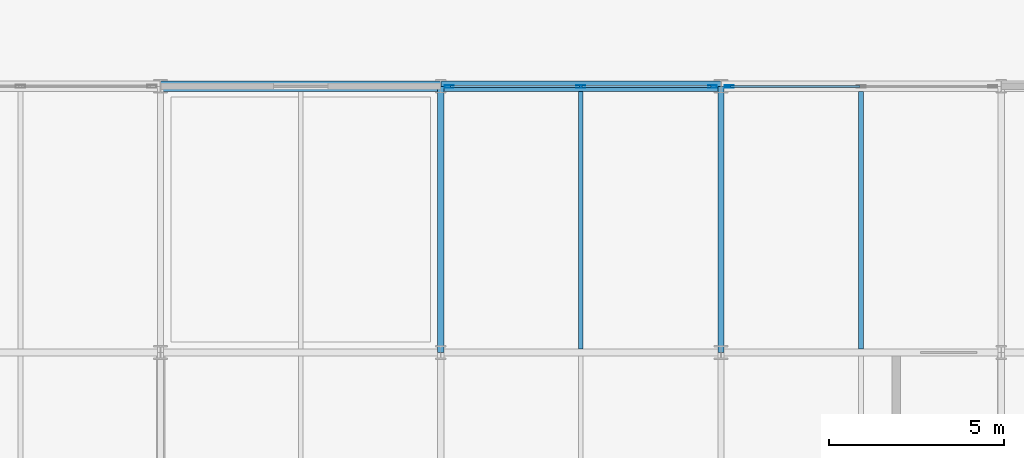
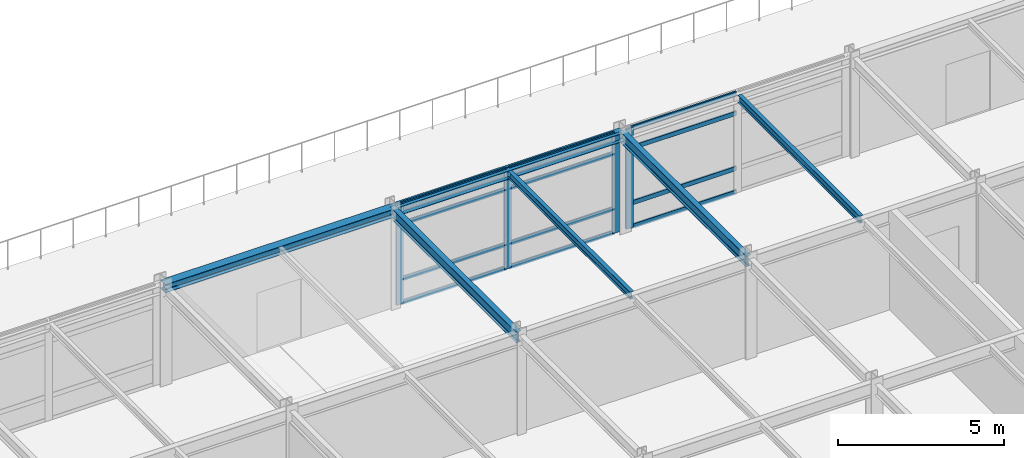
# One storey, part 9 of 17: 16 members, 6 beams, 2 elements without a shape of their own.
"""IFC4 building model written with IfcOpenShell, lengths in metres."""

from ifc_helpers import new_model, si_unit, direction, frame, origin, origin_2d, place, context, subcontext, project, spatial, hollow_rectangle, i_section, extrude, material, layer, layer_set, material_profile, profile_set, type_object, element, aggregate, save


model = new_model("IFC4")

# Units and contexts
model_context = context("Model", 3, precision=1e-05, world=origin(), true_north=direction((0.0, 1.0)))
body_context = subcontext(model_context, "Body", "Model", "MODEL_VIEW")
ifc_project = project(units=[si_unit("LENGTHUNIT", "METRE"), si_unit("AREAUNIT", "SQUARE_METRE"), si_unit("VOLUMEUNIT", "CUBIC_METRE"), si_unit("PLANEANGLEUNIT", "RADIAN"), si_unit("MASSUNIT", "GRAM", prefix="KILO")], contexts=[model_context])

# Site, building, storey
site_placement = place(None, origin())
site = spatial("IfcSite", under=ifc_project, at=site_placement, CompositionType="ELEMENT")
building_placement = place(site_placement, origin())
building = spatial("IfcBuilding", under=site, at=building_placement, Name="Shalkamar Park Central Library", CompositionType="ELEMENT")
storey_placement = place(building_placement, frame((0.0, 0.0, 36.0)))
storey = spatial("IfcBuildingStorey", under=building, at=storey_placement, Name="L09", CompositionType="ELEMENT", Elevation=36.0)

# Beams
ifc_material_1 = material(Name="Steel S355", Category="steel")
ifc_material_profile_1 = material_profile(ifc_material_1, i_section(OverallWidth=0.135009765625, OverallDepth=0.27001953125, WebThickness=0.006591796875, FlangeThickness=0.01025390625, FilletRadius=0.014892578125, at=origin_2d()), Name="IPE 270")
ifc_profile_set_1 = profile_set([ifc_material_profile_1], Name="Steel S355")
beam_type_1 = type_object("IfcBeamType", Name="Composite Floor Joist IPE270", PredefinedType="JOIST", material=ifc_profile_set_1)
for number, where, z_axis, x_axis, name in (
    (1, (193.0, 278.097900390625, 3.544921875), (0.0, 1.0, 0.0), (-1.0, 0.0, 0.0), "Composite Joist 10/F-1 (L09)"),
    (2, (201.0, 278.097900390625, 3.544921875), (0.0, 1.0, 0.0), (-1.0, 0.0, 0.0), "Composite Joist 11/F-1 (L09)"),
):
    element("IfcBeam", number, at=place(storey_placement, frame(where, z_axis=z_axis, x_axis=x_axis)), inside=storey, type_object=beam_type_1, Name=name, PredefinedType="JOIST", context=body_context, shape_type="SweptSolid", body=[
        extrude(i_section(OverallWidth=0.135009765625, OverallDepth=0.27001953125, WebThickness=0.006591796875, FlangeThickness=0.01025390625, FilletRadius=0.014892578125, at=origin_2d()), origin(), (0.0, 0.0, 1.0), 7.35400390625),
    ])

# Curtain wall, members
ifc_material_2 = material(Name="Thermally broken aluminium and triple low-e curtain wall", Category="aluminium")
ifc_layer_1 = layer(ifc_material_2, 0.25)
ifc_layer_set_1 = layer_set([ifc_layer_1], Name="UnitisedCurtainWall_79")
curtain_wall_type_1 = type_object("IfcCurtainWallType", Name="Unitised Curtain Wall 79", PredefinedType="USERDEFINED", material=ifc_layer_set_1)
curtain_wall_1_placement = place(storey_placement, origin())
curtain_wall_1 = element("IfcCurtainWall", 3, at=curtain_wall_1_placement, inside=storey, type_object=curtain_wall_type_1, Name="Unitised Curtain Wall CW-L09-114", ObjectType="UNITISED CURTAIN WALL", PredefinedType="USERDEFINED")
ifc_material_3 = material(Name="Aluminium 6060-T66", Category="aluminium")
ifc_material_profile_2 = material_profile(ifc_material_3, hollow_rectangle(XDim=0.074951171875, YDim=0.25, WallThickness=0.00390625, InnerFilletRadius=0.00390625, OuterFilletRadius=0.006103515625, at=origin_2d()), Name="ALU 75x250x4")
ifc_profile_set_2 = profile_set([ifc_material_profile_2], Name="Aluminium 6060-T66")
member_type_1 = type_object("IfcMemberType", Name="Curtain Wall Mullion ALU75x250", PredefinedType="MULLION", material=ifc_profile_set_2)
member_1_placement = place(storey_placement, frame((189.239013671875, 285.60009765625, 0.0), z_axis=(0.0, 0.0, 1.0), x_axis=(0.0, 1.0, 0.0)))
member_1 = element("IfcMember", 4, at=member_1_placement, type_object=member_type_1, Name="CW-79 mullion 1", PredefinedType="MULLION", context=body_context, shape_type="SweptSolid", body=[
    extrude(hollow_rectangle(XDim=0.074951171875, YDim=0.25, WallThickness=0.00390625, InnerFilletRadius=0.00390625, OuterFilletRadius=0.006103515625, at=origin_2d()), origin(), (0.0, 0.0, 1.0), 3.679931640625),
])
member_2_placement = place(storey_placement, frame((192.999267578125, 285.60009765625, 0.0), z_axis=(0.0, 0.0, 1.0), x_axis=(0.0, 1.0, 0.0)))
member_2 = element("IfcMember", 5, at=member_2_placement, type_object=member_type_1, Name="CW-79 mullion 2", PredefinedType="MULLION", context=body_context, shape_type="SweptSolid", body=[
    extrude(hollow_rectangle(XDim=0.074951171875, YDim=0.25, WallThickness=0.00390625, InnerFilletRadius=0.00390625, OuterFilletRadius=0.006103515625, at=origin_2d()), origin(), (0.0, 0.0, 1.0), 3.679931640625),
])
member_3_placement = place(storey_placement, frame((196.759521484375, 285.60009765625, 0.0), z_axis=(0.0, 0.0, 1.0), x_axis=(0.0, 1.0, 0.0)))
member_3 = element("IfcMember", 6, at=member_3_placement, type_object=member_type_1, Name="CW-79 mullion 3", PredefinedType="MULLION", context=body_context, shape_type="SweptSolid", body=[
    extrude(hollow_rectangle(XDim=0.074951171875, YDim=0.25, WallThickness=0.00390625, InnerFilletRadius=0.00390625, OuterFilletRadius=0.006103515625, at=origin_2d()), origin(), (0.0, 0.0, 1.0), 3.679931640625),
])

# Curtain wall, member
ifc_layer_2 = layer(ifc_material_2, 0.260009765625)
ifc_layer_set_2 = layer_set([ifc_layer_2], Name="UnitisedCurtainWall_80")
curtain_wall_type_2 = type_object("IfcCurtainWallType", Name="Unitised Curtain Wall 80", PredefinedType="USERDEFINED", material=ifc_layer_set_2)
curtain_wall_2_placement = place(storey_placement, origin())
curtain_wall_2 = element("IfcCurtainWall", 7, at=curtain_wall_2_placement, inside=storey, type_object=curtain_wall_type_2, Name="Unitised Curtain Wall CW-L09-115", ObjectType="UNITISED CURTAIN WALL", PredefinedType="USERDEFINED")
ifc_material_profile_3 = material_profile(ifc_material_3, hollow_rectangle(XDim=0.074951171875, YDim=0.260009765625, WallThickness=0.00439453125, InnerFilletRadius=0.00439453125, OuterFilletRadius=0.0068359375, at=origin_2d()), Name="ALU 75x260x4.5")
ifc_profile_set_3 = profile_set([ifc_material_profile_3], Name="Aluminium 6060-T66")
member_type_2 = type_object("IfcMemberType", Name="Curtain Wall Mullion ALU75x260", PredefinedType="MULLION", material=ifc_profile_set_3)
member_4_placement = place(storey_placement, frame((197.240478515625, 285.60009765625, 0.0), z_axis=(0.0, 0.0, 1.0), x_axis=(0.0, 1.0, 0.0)))
member_4 = element("IfcMember", 8, at=member_4_placement, type_object=member_type_2, Name="CW-80 mullion 1", PredefinedType="MULLION", context=body_context, shape_type="SweptSolid", body=[
    extrude(hollow_rectangle(XDim=0.074951171875, YDim=0.260009765625, WallThickness=0.00439453125, InnerFilletRadius=0.00439453125, OuterFilletRadius=0.0068359375, at=origin_2d()), origin(), (0.0, 0.0, 1.0), 3.679931640625),
])

# Member
ifc_material_profile_4 = material_profile(ifc_material_3, hollow_rectangle(XDim=0.06005859375, YDim=0.159912109375, WallThickness=0.00390625, InnerFilletRadius=0.00390625, OuterFilletRadius=0.006103515625, at=origin_2d()), Name="ALU 60x160x4")
ifc_profile_set_4 = profile_set([ifc_material_profile_4], Name="Aluminium 6060-T66")
member_type_3 = type_object("IfcMemberType", Name="Curtain Wall Transom ALU60x160", PredefinedType="USERDEFINED", material=ifc_profile_set_4)
member_5_placement = place(storey_placement, frame((189.276611328125, 285.60009765625, 0.030029296875), z_axis=(1.0, 0.0, 0.0), x_axis=(0.0, 1.0, 0.0)))
member_5 = element("IfcMember", 9, at=member_5_placement, type_object=member_type_3, Name="CW-79 transom 1.1", ObjectType="TRANSOM", PredefinedType="USERDEFINED", context=body_context, shape_type="SweptSolid", body=[
    extrude(hollow_rectangle(XDim=0.06005859375, YDim=0.159912109375, WallThickness=0.00390625, InnerFilletRadius=0.00390625, OuterFilletRadius=0.006103515625, at=origin_2d()), origin(), (0.0, 0.0, 1.0), 3.68505859375),
])

member_6_placement = place(storey_placement, frame((189.276611328125, 285.60009765625, 0.89990234375), z_axis=(1.0, 0.0, 0.0), x_axis=(0.0, 1.0, 0.0)))
member_6 = element("IfcMember", 10, at=member_6_placement, type_object=member_type_3, Name="CW-79 transom 1.2", ObjectType="TRANSOM", PredefinedType="USERDEFINED", context=body_context, shape_type="SweptSolid", body=[
    extrude(hollow_rectangle(XDim=0.06005859375, YDim=0.159912109375, WallThickness=0.00390625, InnerFilletRadius=0.00390625, OuterFilletRadius=0.006103515625, at=origin_2d()), origin(), (0.0, 0.0, 1.0), 3.68505859375),
])

member_7_placement = place(storey_placement, frame((189.276611328125, 285.60009765625, 2.929931640625), z_axis=(1.0, 0.0, 0.0), x_axis=(0.0, 1.0, 0.0)))
member_7 = element("IfcMember", 11, at=member_7_placement, type_object=member_type_3, Name="CW-79 transom 1.3", ObjectType="TRANSOM", PredefinedType="USERDEFINED", context=body_context, shape_type="SweptSolid", body=[
    extrude(hollow_rectangle(XDim=0.06005859375, YDim=0.159912109375, WallThickness=0.00390625, InnerFilletRadius=0.00390625, OuterFilletRadius=0.006103515625, at=origin_2d()), origin(), (0.0, 0.0, 1.0), 3.68505859375),
])

member_8_placement = place(storey_placement, frame((189.276611328125, 285.60009765625, 3.64990234375), z_axis=(1.0, 0.0, 0.0), x_axis=(0.0, 1.0, 0.0)))
member_8 = element("IfcMember", 12, at=member_8_placement, type_object=member_type_3, Name="CW-79 transom 1.4", ObjectType="TRANSOM", PredefinedType="USERDEFINED", context=body_context, shape_type="SweptSolid", body=[
    extrude(hollow_rectangle(XDim=0.06005859375, YDim=0.159912109375, WallThickness=0.00390625, InnerFilletRadius=0.00390625, OuterFilletRadius=0.006103515625, at=origin_2d()), origin(), (0.0, 0.0, 1.0), 3.68505859375),
])

member_9_placement = place(storey_placement, frame((193.036865234375, 285.60009765625, 0.030029296875), z_axis=(1.0, 0.0, 0.0), x_axis=(0.0, 1.0, 0.0)))
member_9 = element("IfcMember", 13, at=member_9_placement, type_object=member_type_3, Name="CW-79 transom 2.1", ObjectType="TRANSOM", PredefinedType="USERDEFINED", context=body_context, shape_type="SweptSolid", body=[
    extrude(hollow_rectangle(XDim=0.06005859375, YDim=0.159912109375, WallThickness=0.00390625, InnerFilletRadius=0.00390625, OuterFilletRadius=0.006103515625, at=origin_2d()), origin(), (0.0, 0.0, 1.0), 3.68505859375),
])

member_10_placement = place(storey_placement, frame((193.036865234375, 285.60009765625, 0.89990234375), z_axis=(1.0, 0.0, 0.0), x_axis=(0.0, 1.0, 0.0)))
member_10 = element("IfcMember", 14, at=member_10_placement, type_object=member_type_3, Name="CW-79 transom 2.2", ObjectType="TRANSOM", PredefinedType="USERDEFINED", context=body_context, shape_type="SweptSolid", body=[
    extrude(hollow_rectangle(XDim=0.06005859375, YDim=0.159912109375, WallThickness=0.00390625, InnerFilletRadius=0.00390625, OuterFilletRadius=0.006103515625, at=origin_2d()), origin(), (0.0, 0.0, 1.0), 3.68505859375),
])

member_11_placement = place(storey_placement, frame((193.036865234375, 285.60009765625, 2.929931640625), z_axis=(1.0, 0.0, 0.0), x_axis=(0.0, 1.0, 0.0)))
member_11 = element("IfcMember", 15, at=member_11_placement, type_object=member_type_3, Name="CW-79 transom 2.3", ObjectType="TRANSOM", PredefinedType="USERDEFINED", context=body_context, shape_type="SweptSolid", body=[
    extrude(hollow_rectangle(XDim=0.06005859375, YDim=0.159912109375, WallThickness=0.00390625, InnerFilletRadius=0.00390625, OuterFilletRadius=0.006103515625, at=origin_2d()), origin(), (0.0, 0.0, 1.0), 3.68505859375),
])

member_12_placement = place(storey_placement, frame((193.036865234375, 285.60009765625, 3.64990234375), z_axis=(1.0, 0.0, 0.0), x_axis=(0.0, 1.0, 0.0)))
member_12 = element("IfcMember", 16, at=member_12_placement, type_object=member_type_3, Name="CW-79 transom 2.4", ObjectType="TRANSOM", PredefinedType="USERDEFINED", context=body_context, shape_type="SweptSolid", body=[
    extrude(hollow_rectangle(XDim=0.06005859375, YDim=0.159912109375, WallThickness=0.00390625, InnerFilletRadius=0.00390625, OuterFilletRadius=0.006103515625, at=origin_2d()), origin(), (0.0, 0.0, 1.0), 3.68505859375),
])

aggregate(curtain_wall_1, [member_1, member_2, member_3, member_5, member_6, member_7, member_8, member_9, member_10, member_11, member_12])

ifc_material_profile_5 = material_profile(ifc_material_3, hollow_rectangle(XDim=0.06005859375, YDim=0.1650390625, WallThickness=0.00390625, InnerFilletRadius=0.00390625, OuterFilletRadius=0.006103515625, at=origin_2d()), Name="ALU 60x165x4")
ifc_profile_set_5 = profile_set([ifc_material_profile_5], Name="Aluminium 6060-T66")
member_type_4 = type_object("IfcMemberType", Name="Curtain Wall Transom ALU60x165", PredefinedType="USERDEFINED", material=ifc_profile_set_5)
member_13_placement = place(storey_placement, frame((197.278076171875, 285.60009765625, 0.030029296875), z_axis=(1.0, 0.0, 0.0), x_axis=(0.0, 1.0, 0.0)))
member_13 = element("IfcMember", 17, at=member_13_placement, type_object=member_type_4, Name="CW-80 transom 1.1", ObjectType="TRANSOM", PredefinedType="USERDEFINED", context=body_context, shape_type="SweptSolid", body=[
    extrude(hollow_rectangle(XDim=0.06005859375, YDim=0.1650390625, WallThickness=0.00390625, InnerFilletRadius=0.00390625, OuterFilletRadius=0.006103515625, at=origin_2d()), origin(), (0.0, 0.0, 1.0), 3.68505859375),
])

member_14_placement = place(storey_placement, frame((197.278076171875, 285.60009765625, 0.89990234375), z_axis=(1.0, 0.0, 0.0), x_axis=(0.0, 1.0, 0.0)))
member_14 = element("IfcMember", 18, at=member_14_placement, type_object=member_type_4, Name="CW-80 transom 1.2", ObjectType="TRANSOM", PredefinedType="USERDEFINED", context=body_context, shape_type="SweptSolid", body=[
    extrude(hollow_rectangle(XDim=0.06005859375, YDim=0.1650390625, WallThickness=0.00390625, InnerFilletRadius=0.00390625, OuterFilletRadius=0.006103515625, at=origin_2d()), origin(), (0.0, 0.0, 1.0), 3.68505859375),
])

member_15_placement = place(storey_placement, frame((197.278076171875, 285.60009765625, 2.929931640625), z_axis=(1.0, 0.0, 0.0), x_axis=(0.0, 1.0, 0.0)))
member_15 = element("IfcMember", 19, at=member_15_placement, type_object=member_type_4, Name="CW-80 transom 1.3", ObjectType="TRANSOM", PredefinedType="USERDEFINED", context=body_context, shape_type="SweptSolid", body=[
    extrude(hollow_rectangle(XDim=0.06005859375, YDim=0.1650390625, WallThickness=0.00390625, InnerFilletRadius=0.00390625, OuterFilletRadius=0.006103515625, at=origin_2d()), origin(), (0.0, 0.0, 1.0), 3.68505859375),
])

member_16_placement = place(storey_placement, frame((197.278076171875, 285.60009765625, 3.64990234375), z_axis=(1.0, 0.0, 0.0), x_axis=(0.0, 1.0, 0.0)))
member_16 = element("IfcMember", 20, at=member_16_placement, type_object=member_type_4, Name="CW-80 transom 1.4", ObjectType="TRANSOM", PredefinedType="USERDEFINED", context=body_context, shape_type="SweptSolid", body=[
    extrude(hollow_rectangle(XDim=0.06005859375, YDim=0.1650390625, WallThickness=0.00390625, InnerFilletRadius=0.00390625, OuterFilletRadius=0.006103515625, at=origin_2d()), origin(), (0.0, 0.0, 1.0), 3.68505859375),
])

aggregate(curtain_wall_2, [member_4, member_13, member_14, member_15, member_16])

# Beams
ifc_material_profile_6 = material_profile(ifc_material_1, i_section(OverallWidth=0.300048828125, OverallDepth=0.31005859375, WebThickness=0.009033203125, FlangeThickness=0.015380859375, FilletRadius=0.027099609375, at=origin_2d()), Name="HEA 320")
ifc_profile_set_6 = profile_set([ifc_material_profile_6], Name="Steel S355")
beam_type_2 = type_object("IfcBeamType", Name="Perimeter Spandrel Beam HEA320", PredefinedType="SPANDREL", material=ifc_profile_set_6)
for number, where, z_axis, x_axis, name in (
    (21, (181.0, 285.60009765625, 3.52490234375), (1.0, 0.0, 0.0), (0.0, 1.0, 0.0), "Beam G:09-10 (L09)"),
    (22, (189.0, 285.60009765625, 3.52490234375), (1.0, 0.0, 0.0), (0.0, 1.0, 0.0), "Beam G:10-11 (L09)"),
):
    element("IfcBeam", number, at=place(storey_placement, frame(where, z_axis=z_axis, x_axis=x_axis)), inside=storey, type_object=beam_type_2, Name=name, PredefinedType="SPANDREL", context=body_context, shape_type="SweptSolid", body=[
        extrude(i_section(OverallWidth=0.300048828125, OverallDepth=0.31005859375, WebThickness=0.009033203125, FlangeThickness=0.015380859375, FilletRadius=0.027099609375, at=origin_2d()), origin(), (0.0, 0.0, 1.0), 8.0),
    ])
ifc_material_profile_7 = material_profile(ifc_material_1, i_section(OverallWidth=0.179931640625, OverallDepth=0.39990234375, WebThickness=0.008544921875, FlangeThickness=0.013427734375, FilletRadius=0.02099609375, at=origin_2d()), Name="IPE 400")
ifc_profile_set_7 = profile_set([ifc_material_profile_7], Name="Steel S355")
beam_type_3 = type_object("IfcBeamType", Name="Primary Girder IPE400", PredefinedType="BEAM", material=ifc_profile_set_7)
for number, where, z_axis, x_axis, name in (
    (23, (189.0, 278.0, 3.47998046875), (0.0, 1.0, 0.0), (-1.0, 0.0, 0.0), "Beam 10:F-G (L09)"),
    (24, (197.0, 278.0, 3.47998046875), (0.0, 1.0, 0.0), (-1.0, 0.0, 0.0), "Beam 11:F-G (L09)"),
):
    element("IfcBeam", number, at=place(storey_placement, frame(where, z_axis=z_axis, x_axis=x_axis)), inside=storey, type_object=beam_type_3, Name=name, PredefinedType="BEAM", context=body_context, shape_type="SweptSolid", body=[
        extrude(i_section(OverallWidth=0.179931640625, OverallDepth=0.39990234375, WebThickness=0.008544921875, FlangeThickness=0.013427734375, FilletRadius=0.02099609375, at=origin_2d()), origin(), (0.0, 0.0, 1.0), 7.60009765625),
    ])

save(model, "model.ifc")
